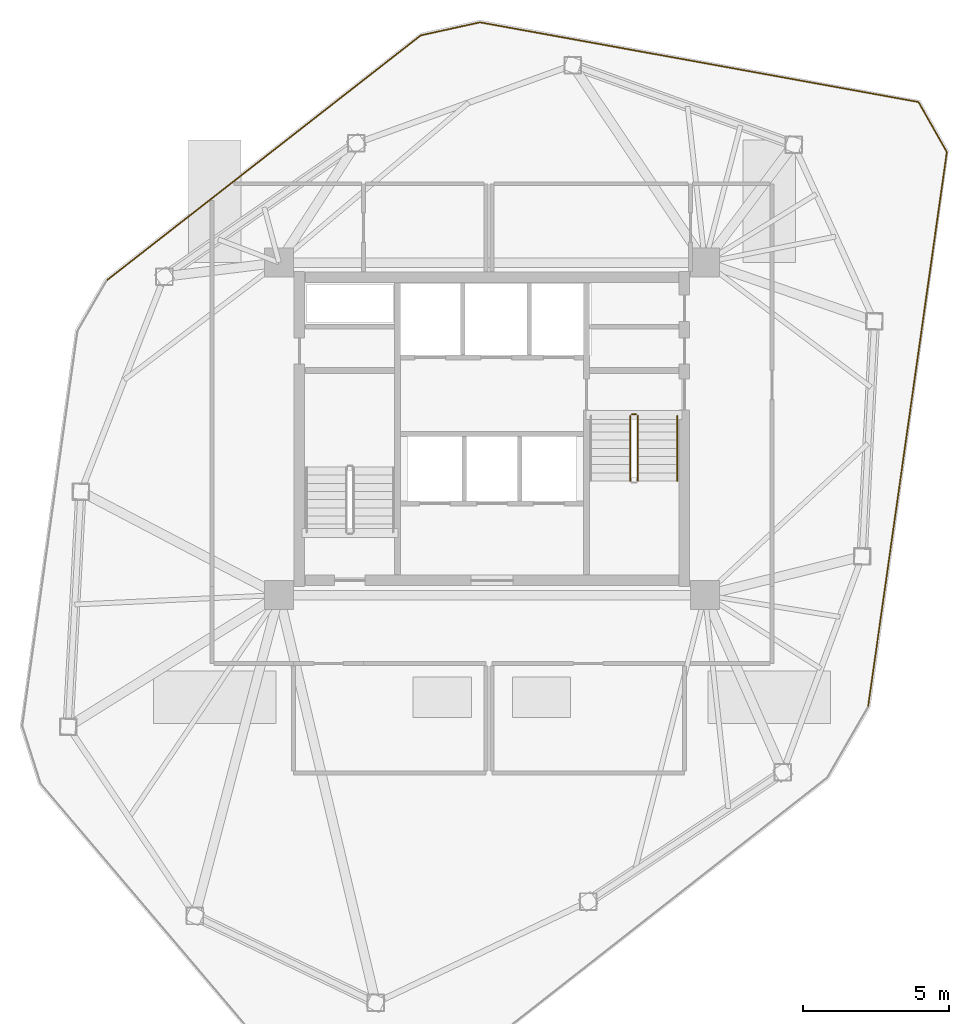
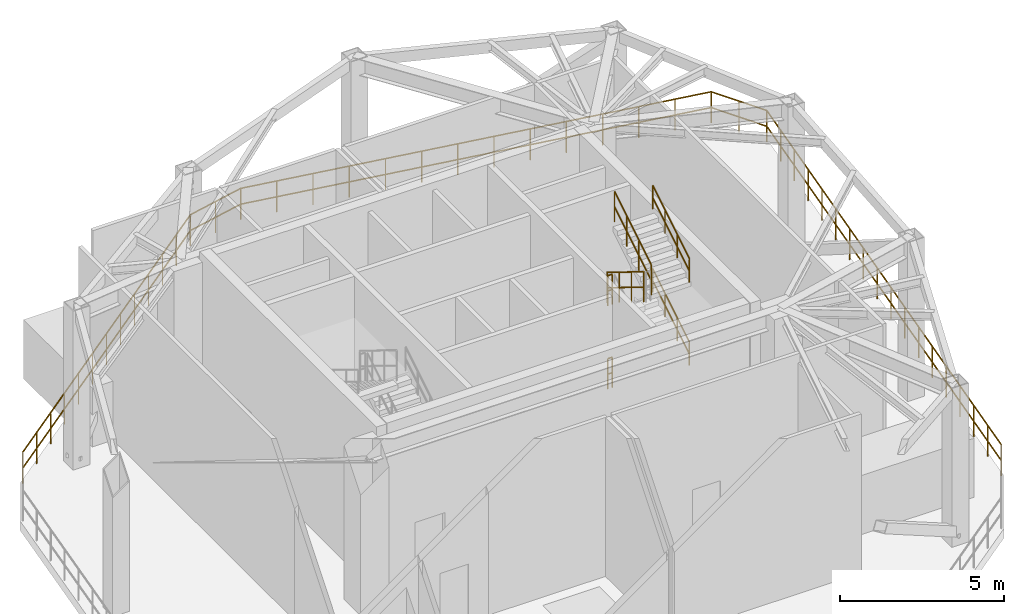
# One storey, part 6 of 7: 11 railings.
"""IFC4 building model written with IfcOpenShell, lengths in metres."""

import ifcopenshell
import ifcopenshell.guid

model = None  # the IFC model being written
_history = None  # IfcOwnerHistory: only IFC2X3 demands one
_inside = {}  # id of a spatial element -> (the spatial element, [elements in it])
_under = {}  # id of a project, library or spatial element -> (it, [spatial elements below it])
_declared = {}  # id of a project -> (the project, [libraries it declares])
_typed = {}  # id of a type object -> (the type object, [elements of that type])
_made_of = {}  # id of a material, layer set ... -> (it, [elements and type objects made of it])


def new_model(schema):
    """Start an empty IFC model of exactly this schema.

    Asked for "IFC4X3", IfcOpenShell would pick the latest addendum, in which some entities
    have other attributes; the version numbers below select the first issue.
    IFC2X3 requires an IfcOwnerHistory on every rooted entity: one is made here for all.
    """
    global model, _history
    if schema == "IFC4X3":
        model = ifcopenshell.file(schema_version=(4, 3, 0, 0))
    else:
        model = ifcopenshell.file(schema=schema)
    _inside.clear()
    _under.clear()
    _declared.clear()
    _typed.clear()
    _made_of.clear()
    _history = None
    if model.schema == "IFC2X3":
        org = make("IfcOrganization", Name="unknown")
        user = make(
            "IfcPersonAndOrganization",
            ThePerson=make("IfcPerson", FamilyName="unknown"),
            TheOrganization=org,
        )
        app = make(
            "IfcApplication",
            ApplicationDeveloper=org,
            Version="unknown",
            ApplicationFullName="unknown",
            ApplicationIdentifier="unknown",
        )
        _history = make(
            "IfcOwnerHistory",
            OwningUser=user,
            OwningApplication=app,
            ChangeAction="ADDED",
            CreationDate=0,
        )
    return model


def make(cls, **values):
    """One entity of the class cls with the attributes given. An attribute that is None is left unset."""
    return model.create_entity(
        cls, **{name: value for name, value in values.items() if value is not None}
    )


def rooted(cls, **values):
    """An entity with a GlobalId (a new one), such as an element, a storey or a relation."""
    return make(cls, GlobalId=ifcopenshell.guid.new(), OwnerHistory=_history, **values)


def si_unit(unit_type, name, prefix=None):
    """IfcSIUnit, for example si_unit("LENGTHUNIT", "METRE", prefix="MILLI")."""
    return make("IfcSIUnit", UnitType=unit_type, Prefix=prefix, Name=name)


def assignment(units):
    """IfcUnitAssignment: the units of a project."""
    return None if units is None else make("IfcUnitAssignment", Units=units)


def point(xyz):
    """IfcCartesianPoint."""
    return None if xyz is None else make("IfcCartesianPoint", Coordinates=xyz)


def direction(xyz):
    """IfcDirection."""
    return None if xyz is None else make("IfcDirection", DirectionRatios=xyz)


def frame(location, z_axis=None, x_axis=None):
    """IfcAxis2Placement3D, a coordinate frame: its origin and axes. An axis left out is left unset."""
    return make(
        "IfcAxis2Placement3D",
        Location=point(location),
        Axis=direction(z_axis),
        RefDirection=direction(x_axis),
    )


def frame_2d(location, x_axis=None):
    """IfcAxis2Placement2D, a coordinate frame in the plane: its origin and x axis."""
    return make(
        "IfcAxis2Placement2D", Location=point(location), RefDirection=direction(x_axis)
    )


def origin():
    """The frame at (0, 0, 0) with its axes left unset."""
    return frame((0.0, 0.0, 0.0))


def origin_2d():
    """The frame at (0, 0) in the plane with its x axis left unset."""
    return frame_2d((0.0, 0.0))


def place(relative_to, where):
    """IfcLocalPlacement: puts the frame where relative to a parent placement (None: the world)."""
    return make(
        "IfcLocalPlacement", PlacementRelTo=relative_to, RelativePlacement=where
    )


def context(
    kind, dimensions, precision=None, world=None, true_north=None, identifier=None
):
    """IfcGeometricRepresentationContext, for example the 3D "Model" context."""
    return make(
        "IfcGeometricRepresentationContext",
        ContextIdentifier=identifier,
        ContextType=kind,
        CoordinateSpaceDimension=dimensions,
        Precision=precision,
        WorldCoordinateSystem=world,
        TrueNorth=true_north,
    )


def subcontext(parent, identifier, kind, view, scale=None):
    """IfcGeometricRepresentationSubContext, for example "Body" below "Model"."""
    return make(
        "IfcGeometricRepresentationSubContext",
        ContextIdentifier=identifier,
        ContextType=kind,
        ParentContext=parent,
        TargetScale=scale,
        TargetView=view,
    )


def project(units=None, contexts=None):
    """IfcProject with its units and contexts."""
    return rooted(
        "IfcProject",
        Name="project",
        RepresentationContexts=contexts,
        UnitsInContext=assignment(units),
    )


def spatial(cls, under=None, at=None, **own):
    """A site, building, storey or space (cls), placed at a placement, below another one or the project."""
    s = rooted(cls, ObjectPlacement=at, **own)
    if under is not None:
        _under.setdefault(under.id(), (under, []))[1].append(s)
    return s


def profile(cls, at=None, kind="AREA", **sizes):
    """A parametric profile (cls). Its sizes go by their IFC names, for example OverallWidth=200.0."""
    return make(cls, ProfileType=kind, Position=at, **sizes)


def circle(**sizes):
    """IfcCircleProfileDef."""
    return profile("IfcCircleProfileDef", **sizes)


def extrude(swept, where, along, depth):
    """IfcExtrudedAreaSolid: the profile swept, set in the frame where, extruded along a direction by depth."""
    return make(
        "IfcExtrudedAreaSolid",
        SweptArea=swept,
        Position=where,
        ExtrudedDirection=direction(along),
        Depth=depth,
    )


def shape(context_of_items, identifier, shape_type, items):
    """IfcShapeRepresentation: the items that make up one representation, for example the "Body"."""
    return make(
        "IfcShapeRepresentation",
        ContextOfItems=context_of_items,
        RepresentationIdentifier=identifier,
        RepresentationType=shape_type,
        Items=items,
    )


def material(Name=None, Category=None):
    """IfcMaterial."""
    return make("IfcMaterial", Name=Name, Category=Category)


def made_of(thing, what):
    """Note that an element or type object is made of a material, layer set ...; save() writes the relation."""
    if what is not None:
        _made_of.setdefault(what.id(), (what, []))[1].append(thing)
    return thing


def type_object(cls, material=None, **own):
    """A type object (cls), such as IfcWallType, which elements share."""
    return made_of(rooted(cls, **own), material)


def element(
    cls,
    number,
    at=None,
    inside=None,
    cuts=None,
    type_object=None,
    material=None,
    context=None,
    identifier="Body",
    shape_type=None,
    held_by="IfcProductDefinitionShape",
    body=None,
    shapes=None,
    **own,
):
    """One element of the class cls, such as IfcWall. Its Tag is "e" and its number.

    at: its placement. inside: the storey or other place that contains it. cuts: it is an
    opening in that element (IfcRelVoidsElement). A single representation is given by context,
    identifier, shape_type and body (its items); several are given by shapes. held_by: the class
    of the entity that holds the representations. save() writes the other relations.
    """
    e = rooted(cls, Tag="e%d" % number, ObjectPlacement=at, **own)
    if body is not None:
        shapes = [shape(context, identifier, shape_type, body)]
    if shapes is not None:
        e.Representation = make(held_by, Representations=shapes)
    if inside is not None:
        _inside.setdefault(inside.id(), (inside, []))[1].append(e)
    if cuts is not None:
        rooted(
            "IfcRelVoidsElement", RelatingBuildingElement=cuts, RelatedOpeningElement=e
        )
    if type_object is not None:
        _typed.setdefault(type_object.id(), (type_object, []))[1].append(e)
    return made_of(e, material)


def aggregate(whole, parts):
    """IfcRelAggregates: a whole, such as a stair, and the parts it consists of."""
    return rooted("IfcRelAggregates", RelatingObject=whole, RelatedObjects=parts)


def save(model, path):
    """Write the relations noted so far, then the file.

    IfcRelAggregates (storeys below a building ...), IfcRelContainedInSpatialStructure (elements
    in a storey), IfcRelDefinesByType, IfcRelAssociatesMaterial and IfcRelDeclares: one each for
    every whole, place, type object, material and project.
    """
    for whole, parts in _under.values():
        aggregate(whole, parts)
    for where, things in _inside.values():
        rooted(
            "IfcRelContainedInSpatialStructure",
            RelatedElements=things,
            RelatingStructure=where,
        )
    for kind, things in _typed.values():
        rooted("IfcRelDefinesByType", RelatedObjects=things, RelatingType=kind)
    for what, things in _made_of.values():
        rooted("IfcRelAssociatesMaterial", RelatedObjects=things, RelatingMaterial=what)
    for by, libraries in _declared.values():
        rooted("IfcRelDeclares", RelatingContext=by, RelatedDefinitions=libraries)
    model.write(path)


model = new_model("IFC4")

# Units and contexts
model_context = context("Model", 3, precision=1e-05, world=origin(), true_north=direction((0.0, 1.0)))
body_context = subcontext(model_context, "Body", "Model", "MODEL_VIEW")
ifc_project = project(units=[si_unit("LENGTHUNIT", "METRE"), si_unit("AREAUNIT", "SQUARE_METRE"), si_unit("VOLUMEUNIT", "CUBIC_METRE"), si_unit("PLANEANGLEUNIT", "RADIAN"), si_unit("MASSUNIT", "GRAM", prefix="KILO")], contexts=[model_context])

# Site, building, storey
site_placement = place(None, origin())
site = spatial("IfcSite", under=ifc_project, at=site_placement, CompositionType="ELEMENT")
building_placement = place(site_placement, origin())
building = spatial("IfcBuilding", under=site, at=building_placement, Name="Talar Marvaseh", CompositionType="ELEMENT")
storey_placement = place(building_placement, frame((0.0, 0.0, 202.0)))
storey = spatial("IfcBuildingStorey", under=building, at=storey_placement, Name="L53", CompositionType="ELEMENT", Elevation=202.0)

# Railings
ifc_material = material(Name="Stainless Steel Grade 316", Category="steel")
railing_type_1 = type_object("IfcRailingType", Name="Brushed Stainless Wall Pitch Handrail 900", PredefinedType="HANDRAIL", material=ifc_material)
railing_1_placement = place(storey_placement, frame((32.35009765625, 29.409912109375, 1.72216796875)))
element("IfcRailing", 1, at=railing_1_placement, inside=storey, type_object=railing_type_1, Name="L53 ST-2 stair handrail 2", PredefinedType="HANDRAIL", context=body_context, shape_type="SweptSolid", body=[
    extrude(circle(Radius=0.02392578125, at=origin_2d()), frame((0.0, 0.0, 0.8759765625), z_axis=(0.0, 0.851747552033, 0.523952390591), x_axis=(-1.0, 0.0, 0.0)), (0.0, 0.0, 1.0), 2.6298828125),
    extrude(circle(Radius=0.02392578125, at=origin_2d()), frame((0.0, 0.0, 0.42578125), z_axis=(0.0, 0.851747552033, 0.523952390591), x_axis=(-1.0, 0.0, 0.0)), (0.0, 0.0, 1.0), 2.6298828125),
    extrude(circle(Radius=0.02099609375, at=origin_2d()), origin(), (0.0, 0.0, 1.0), 0.851806640625),
    extrude(circle(Radius=0.02099609375, at=origin_2d()), frame((0.0, 0.74658203125, 0.459228515625)), (0.0, 0.0, 1.0), 0.851806640625),
    extrude(circle(Radius=0.02099609375, at=origin_2d()), frame((0.0, 1.493408203125, 0.918701171875)), (0.0, 0.0, 1.0), 0.851806640625),
    extrude(circle(Radius=0.02099609375, at=origin_2d()), frame((0.0, 2.239990234375, 1.3779296875)), (0.0, 0.0, 1.0), 0.851806640625),
])
railing_2_placement = place(storey_placement, frame((32.35009765625, 29.409912109375, 4.822265625)))
element("IfcRailing", 2, at=railing_2_placement, inside=storey, type_object=railing_type_1, Name="L53 ST-2 stair handrail 4", PredefinedType="HANDRAIL", context=body_context, shape_type="SweptSolid", body=[
    extrude(circle(Radius=0.02392578125, at=origin_2d()), frame((0.0, 0.0, 0.8759765625), z_axis=(0.0, 0.85178898068, 0.523885037382), x_axis=(-1.0, 0.0, 0.0)), (0.0, 0.0, 1.0), 2.629638671875),
    extrude(circle(Radius=0.02392578125, at=origin_2d()), frame((0.0, 0.0, 0.42578125), z_axis=(0.0, 0.85178898068, 0.523885037382), x_axis=(-1.0, 0.0, 0.0)), (0.0, 0.0, 1.0), 2.629638671875),
    extrude(circle(Radius=0.02099609375, at=origin_2d()), origin(), (0.0, 0.0, 1.0), 0.851806640625),
    extrude(circle(Radius=0.02099609375, at=origin_2d()), frame((0.0, 0.74658203125, 0.459228515625)), (0.0, 0.0, 1.0), 0.851806640625),
    extrude(circle(Radius=0.02099609375, at=origin_2d()), frame((0.0, 1.493408203125, 0.91845703125)), (0.0, 0.0, 1.0), 0.851806640625),
    extrude(circle(Radius=0.02099609375, at=origin_2d()), frame((0.0, 2.239990234375, 1.377685546875)), (0.0, 0.0, 1.0), 0.851806640625),
])
railing_type_2 = type_object("IfcRailingType", Name="Painted Steel Core Stair Well Guardrail 1150", PredefinedType="GUARDRAIL", material=ifc_material)
railing_3_placement = place(storey_placement, frame((30.7900390625, 31.699951171875, 3.10009765625)))
element("IfcRailing", 3, at=railing_3_placement, inside=storey, type_object=railing_type_2, Name="L53 ST-2 stair guard 4", PredefinedType="GUARDRAIL", context=body_context, shape_type="SweptSolid", body=[
    extrude(circle(Radius=0.02392578125, at=origin_2d()), frame((0.0, 0.0, 1.1259765625), z_axis=(1.0, 0.0, 0.0), x_axis=(0.0, 1.0, 0.0)), (0.0, 0.0, 1.0), 0.159912109375),
    extrude(circle(Radius=0.02392578125, at=origin_2d()), frame((0.0, 0.0, 0.55078125), z_axis=(1.0, 0.0, 0.0), x_axis=(0.0, 1.0, 0.0)), (0.0, 0.0, 1.0), 0.159912109375),
    extrude(circle(Radius=0.02099609375, at=origin_2d()), origin(), (0.0, 0.0, 1.0), 1.101806640625),
    extrude(circle(Radius=0.02099609375, at=origin_2d()), frame((0.159912109375, 0.0, 0.0)), (0.0, 0.0, 1.0), 1.101806640625),
])
railing_4_placement = place(storey_placement, frame((30.739990234375, 31.64990234375, 3.272216796875)))
element("IfcRailing", 4, at=railing_4_placement, inside=storey, type_object=railing_type_2, Name="L53 ST-2 stair guard 5", PredefinedType="GUARDRAIL", context=body_context, shape_type="SweptSolid", body=[
    extrude(circle(Radius=0.02392578125, at=origin_2d()), frame((0.0, 0.0, 1.1259765625), z_axis=(0.0, -0.85178898068, 0.523885037382), x_axis=(1.0, 0.0, 0.0)), (0.0, 0.0, 1.0), 2.629638671875),
    extrude(circle(Radius=0.02392578125, at=origin_2d()), frame((0.0, 0.0, 0.55078125), z_axis=(0.0, -0.85178898068, 0.523885037382), x_axis=(1.0, 0.0, 0.0)), (0.0, 0.0, 1.0), 2.629638671875),
    extrude(circle(Radius=0.02099609375, at=origin_2d()), origin(), (0.0, 0.0, 1.0), 1.101806640625),
    extrude(circle(Radius=0.02099609375, at=origin_2d()), frame((0.0, -0.74658203125, 0.459228515625)), (0.0, 0.0, 1.0), 1.101806640625),
    extrude(circle(Radius=0.02099609375, at=origin_2d()), frame((0.0, -1.493408203125, 0.91845703125)), (0.0, 0.0, 1.0), 1.101806640625),
    extrude(circle(Radius=0.02099609375, at=origin_2d()), frame((0.0, -2.239990234375, 1.377685546875)), (0.0, 0.0, 1.0), 1.101806640625),
])
railing_5_placement = place(storey_placement, frame((31.0, 29.409912109375, 4.822265625)))
element("IfcRailing", 5, at=railing_5_placement, inside=storey, type_object=railing_type_2, Name="L53 ST-2 stair guard 7", PredefinedType="GUARDRAIL", context=body_context, shape_type="SweptSolid", body=[
    extrude(circle(Radius=0.02392578125, at=origin_2d()), frame((0.0, 0.0, 1.1259765625), z_axis=(0.0, 0.85178898068, 0.523885037382), x_axis=(-1.0, 0.0, 0.0)), (0.0, 0.0, 1.0), 2.629638671875),
    extrude(circle(Radius=0.02392578125, at=origin_2d()), frame((0.0, 0.0, 0.55078125), z_axis=(0.0, 0.85178898068, 0.523885037382), x_axis=(-1.0, 0.0, 0.0)), (0.0, 0.0, 1.0), 2.629638671875),
    extrude(circle(Radius=0.02099609375, at=origin_2d()), origin(), (0.0, 0.0, 1.0), 1.101806640625),
    extrude(circle(Radius=0.02099609375, at=origin_2d()), frame((0.0, 0.74658203125, 0.459228515625)), (0.0, 0.0, 1.0), 1.101806640625),
    extrude(circle(Radius=0.02099609375, at=origin_2d()), frame((0.0, 1.493408203125, 0.91845703125)), (0.0, 0.0, 1.0), 1.101806640625),
    extrude(circle(Radius=0.02099609375, at=origin_2d()), frame((0.0, 2.239990234375, 1.377685546875)), (0.0, 0.0, 1.0), 1.101806640625),
])
railing_6_placement = place(storey_placement, frame((30.7900390625, 31.699951171875, 0.0)))
element("IfcRailing", 6, at=railing_6_placement, inside=storey, type_object=railing_type_2, Name="L53 ST-2 stair guard 8", PredefinedType="GUARDRAIL", context=body_context, shape_type="SweptSolid", body=[
    extrude(circle(Radius=0.02392578125, at=origin_2d()), frame((0.0, 0.0, 1.1259765625), z_axis=(1.0, 0.0, 0.0), x_axis=(0.0, 1.0, 0.0)), (0.0, 0.0, 1.0), 0.159912109375),
    extrude(circle(Radius=0.02392578125, at=origin_2d()), frame((0.0, 0.0, 0.55078125), z_axis=(1.0, 0.0, 0.0), x_axis=(0.0, 1.0, 0.0)), (0.0, 0.0, 1.0), 0.159912109375),
    extrude(circle(Radius=0.02099609375, at=origin_2d()), origin(), (0.0, 0.0, 1.0), 1.101806640625),
    extrude(circle(Radius=0.02099609375, at=origin_2d()), frame((0.159912109375, 0.0, 0.0)), (0.0, 0.0, 1.0), 1.101806640625),
])
railing_type_3 = type_object("IfcRailingType", Name="Wind Portal Perimeter Safety Guardrail 1180", PredefinedType="GUARDRAIL", material=ifc_material)
railing_7_placement = place(storey_placement, frame((12.784423828125, 36.280517578125, 0.0)))
element("IfcRailing", 7, at=railing_7_placement, inside=storey, type_object=railing_type_3, Name="L53 Wind Portal Perimeter Guardrail 6", PredefinedType="GUARDRAIL", context=body_context, shape_type="SweptSolid", body=[
    extrude(circle(Radius=0.02392578125, at=origin_2d()), frame((0.0, 0.0, 1.15576171875), z_axis=(0.788442353042, 0.615108653759, 0.0), x_axis=(-0.615108653759, 0.788442353042, 0.0)), (0.0, 0.0, 1.0), 13.666748046875),
    extrude(circle(Radius=0.02392578125, at=origin_2d()), frame((0.0, 0.0, 0.56591796875), z_axis=(0.788442353042, 0.615108653759, 0.0), x_axis=(-0.615108653759, 0.788442353042, 0.0)), (0.0, 0.0, 1.0), 13.666748046875),
    extrude(circle(Radius=0.02099609375, at=origin_2d()), origin(), (0.0, 0.0, 1.0), 1.1318359375),
    extrude(circle(Radius=0.02099609375, at=origin_2d()), frame((0.89794921875, 0.700439453125, 0.0)), (0.0, 0.0, 1.0), 1.1318359375),
    extrude(circle(Radius=0.02099609375, at=origin_2d()), frame((1.7958984375, 1.401123046875, 0.0)), (0.0, 0.0, 1.0), 1.1318359375),
    extrude(circle(Radius=0.02099609375, at=origin_2d()), frame((2.69384765625, 2.1015625, 0.0)), (0.0, 0.0, 1.0), 1.1318359375),
    extrude(circle(Radius=0.02099609375, at=origin_2d()), frame((3.591796875, 2.80224609375, 0.0)), (0.0, 0.0, 1.0), 1.1318359375),
    extrude(circle(Radius=0.02099609375, at=origin_2d()), frame((4.48974609375, 3.502685546875, 0.0)), (0.0, 0.0, 1.0), 1.1318359375),
    extrude(circle(Radius=0.02099609375, at=origin_2d()), frame((5.3876953125, 4.203125, 0.0)), (0.0, 0.0, 1.0), 1.1318359375),
    extrude(circle(Radius=0.02099609375, at=origin_2d()), frame((6.28564453125, 4.90380859375, 0.0)), (0.0, 0.0, 1.0), 1.1318359375),
    extrude(circle(Radius=0.02099609375, at=origin_2d()), frame((7.18359375, 5.604248046875, 0.0)), (0.0, 0.0, 1.0), 1.1318359375),
    extrude(circle(Radius=0.02099609375, at=origin_2d()), frame((8.08154296875, 6.304931640625, 0.0)), (0.0, 0.0, 1.0), 1.1318359375),
    extrude(circle(Radius=0.02099609375, at=origin_2d()), frame((8.9794921875, 7.00537109375, 0.0)), (0.0, 0.0, 1.0), 1.1318359375),
    extrude(circle(Radius=0.02099609375, at=origin_2d()), frame((9.87744140625, 7.7060546875, 0.0)), (0.0, 0.0, 1.0), 1.1318359375),
    extrude(circle(Radius=0.02099609375, at=origin_2d()), frame((10.775390625, 8.406494140625, 0.0)), (0.0, 0.0, 1.0), 1.1318359375),
])
railing_8_placement = place(storey_placement, frame((23.559814453125, 44.68701171875, 0.0)))
element("IfcRailing", 8, at=railing_8_placement, inside=storey, type_object=railing_type_3, Name="L53 Wind Portal Perimeter Guardrail 7", PredefinedType="GUARDRAIL", context=body_context, shape_type="SweptSolid", body=[
    extrude(circle(Radius=0.02392578125, at=origin_2d()), frame((0.0, 0.0, 1.15576171875), z_axis=(0.976643481158, 0.214866262385, 0.0), x_axis=(-0.214866262385, 0.976643481158, 0.0)), (0.0, 0.0, 1.0), 2.079345703125),
    extrude(circle(Radius=0.02392578125, at=origin_2d()), frame((0.0, 0.0, 0.56591796875), z_axis=(0.976643481158, 0.214866262385, 0.0), x_axis=(-0.214866262385, 0.976643481158, 0.0)), (0.0, 0.0, 1.0), 2.079345703125),
    extrude(circle(Radius=0.02099609375, at=origin_2d()), origin(), (0.0, 0.0, 1.0), 1.1318359375),
    extrude(circle(Radius=0.02099609375, at=origin_2d()), frame((1.015380859375, 0.223388671875, 0.0)), (0.0, 0.0, 1.0), 1.1318359375),
    extrude(circle(Radius=0.02099609375, at=origin_2d()), frame((2.03076171875, 0.44677734375, 0.0)), (0.0, 0.0, 1.0), 1.1318359375),
])
railing_9_placement = place(storey_placement, frame((25.590576171875, 45.1337890625, 0.0)))
element("IfcRailing", 9, at=railing_9_placement, inside=storey, type_object=railing_type_3, Name="L53 Wind Portal Perimeter Guardrail 8", PredefinedType="GUARDRAIL", context=body_context, shape_type="SweptSolid", body=[
    extrude(circle(Radius=0.02392578125, at=origin_2d()), frame((0.0, 0.0, 1.15576171875), z_axis=(0.983882691511, -0.178815126165, 0.0), x_axis=(0.178815126165, 0.983882691511, 0.0)), (0.0, 0.0, 1.0), 15.278076171875),
    extrude(circle(Radius=0.02392578125, at=origin_2d()), frame((0.0, 0.0, 0.56591796875), z_axis=(0.983882691511, -0.178815126165, 0.0), x_axis=(0.178815126165, 0.983882691511, 0.0)), (0.0, 0.0, 1.0), 15.278076171875),
    extrude(circle(Radius=0.02099609375, at=origin_2d()), origin(), (0.0, 0.0, 1.0), 1.1318359375),
    extrude(circle(Radius=0.02099609375, at=origin_2d()), frame((1.15625, -0.210205078125, 0.0)), (0.0, 0.0, 1.0), 1.1318359375),
    extrude(circle(Radius=0.02099609375, at=origin_2d()), frame((2.3125, -0.42041015625, 0.0)), (0.0, 0.0, 1.0), 1.1318359375),
    extrude(circle(Radius=0.02099609375, at=origin_2d()), frame((3.46875, -0.63037109375, 0.0)), (0.0, 0.0, 1.0), 1.1318359375),
    extrude(circle(Radius=0.02099609375, at=origin_2d()), frame((4.625244140625, -0.840576171875, 0.0)), (0.0, 0.0, 1.0), 1.1318359375),
    extrude(circle(Radius=0.02099609375, at=origin_2d()), frame((5.781494140625, -1.05078125, 0.0)), (0.0, 0.0, 1.0), 1.1318359375),
    extrude(circle(Radius=0.02099609375, at=origin_2d()), frame((6.937744140625, -1.260986328125, 0.0)), (0.0, 0.0, 1.0), 1.1318359375),
    extrude(circle(Radius=0.02099609375, at=origin_2d()), frame((8.093994140625, -1.470947265625, 0.0)), (0.0, 0.0, 1.0), 1.1318359375),
    extrude(circle(Radius=0.02099609375, at=origin_2d()), frame((9.250244140625, -1.68115234375, 0.0)), (0.0, 0.0, 1.0), 1.1318359375),
    extrude(circle(Radius=0.02099609375, at=origin_2d()), frame((10.406494140625, -1.891357421875, 0.0)), (0.0, 0.0, 1.0), 1.1318359375),
    extrude(circle(Radius=0.02099609375, at=origin_2d()), frame((11.56298828125, -2.1015625, 0.0)), (0.0, 0.0, 1.0), 1.1318359375),
    extrude(circle(Radius=0.02099609375, at=origin_2d()), frame((12.71923828125, -2.3115234375, 0.0)), (0.0, 0.0, 1.0), 1.1318359375),
    extrude(circle(Radius=0.02099609375, at=origin_2d()), frame((13.87548828125, -2.521728515625, 0.0)), (0.0, 0.0, 1.0), 1.1318359375),
    extrude(circle(Radius=0.02099609375, at=origin_2d()), frame((15.03173828125, -2.73193359375, 0.0)), (0.0, 0.0, 1.0), 1.1318359375),
])
railing_10_placement = place(storey_placement, frame((40.622314453125, 42.40185546875, 0.0)))
element("IfcRailing", 10, at=railing_10_placement, inside=storey, type_object=railing_type_3, Name="L53 Wind Portal Perimeter Guardrail 9", PredefinedType="GUARDRAIL", context=body_context, shape_type="SweptSolid", body=[
    extrude(circle(Radius=0.02392578125, at=origin_2d()), frame((0.0, 0.0, 1.15576171875), z_axis=(0.492759327788, -0.870165642207, 0.0), x_axis=(0.870165642207, 0.492759327788, 0.0)), (0.0, 0.0, 1.0), 1.970458984375),
    extrude(circle(Radius=0.02392578125, at=origin_2d()), frame((0.0, 0.0, 0.56591796875), z_axis=(0.492759327788, -0.870165642207, 0.0), x_axis=(0.870165642207, 0.492759327788, 0.0)), (0.0, 0.0, 1.0), 1.970458984375),
    extrude(circle(Radius=0.02099609375, at=origin_2d()), origin(), (0.0, 0.0, 1.0), 1.1318359375),
    extrude(circle(Radius=0.02099609375, at=origin_2d()), frame((0.4853515625, -0.857421875, 0.0)), (0.0, 0.0, 1.0), 1.1318359375),
    extrude(circle(Radius=0.02099609375, at=origin_2d()), frame((0.970947265625, -1.714599609375, 0.0)), (0.0, 0.0, 1.0), 1.1318359375),
])
railing_11_placement = place(storey_placement, frame((41.59326171875, 40.687255859375, 0.0)))
element("IfcRailing", 11, at=railing_11_placement, inside=storey, type_object=railing_type_3, Name="L53 Wind Portal Perimeter Guardrail 10", PredefinedType="GUARDRAIL", context=body_context, shape_type="SweptSolid", body=[
    extrude(circle(Radius=0.02392578125, at=origin_2d()), frame((0.0, 0.0, 1.15576171875), z_axis=(-0.140527919888, -0.990076716084, 0.0), x_axis=(0.990076716084, -0.140527919888, 0.0)), (0.0, 0.0, 1.0), 19.2060546875),
    extrude(circle(Radius=0.02392578125, at=origin_2d()), frame((0.0, 0.0, 0.56591796875), z_axis=(-0.140527919888, -0.990076716084, 0.0), x_axis=(0.990076716084, -0.140527919888, 0.0)), (0.0, 0.0, 1.0), 19.2060546875),
    extrude(circle(Radius=0.02099609375, at=origin_2d()), origin(), (0.0, 0.0, 1.0), 1.1318359375),
    extrude(circle(Radius=0.02099609375, at=origin_2d()), frame((-0.15869140625, -1.11865234375, 0.0)), (0.0, 0.0, 1.0), 1.1318359375),
    extrude(circle(Radius=0.02099609375, at=origin_2d()), frame((-0.317626953125, -2.237060546875, 0.0)), (0.0, 0.0, 1.0), 1.1318359375),
    extrude(circle(Radius=0.02099609375, at=origin_2d()), frame((-0.476318359375, -3.355712890625, 0.0)), (0.0, 0.0, 1.0), 1.1318359375),
    extrude(circle(Radius=0.02099609375, at=origin_2d()), frame((-0.635009765625, -4.47412109375, 0.0)), (0.0, 0.0, 1.0), 1.1318359375),
    extrude(circle(Radius=0.02099609375, at=origin_2d()), frame((-0.793701171875, -5.5927734375, 0.0)), (0.0, 0.0, 1.0), 1.1318359375),
    extrude(circle(Radius=0.02099609375, at=origin_2d()), frame((-0.95263671875, -6.71142578125, 0.0)), (0.0, 0.0, 1.0), 1.1318359375),
    extrude(circle(Radius=0.02099609375, at=origin_2d()), frame((-1.111328125, -7.829833984375, 0.0)), (0.0, 0.0, 1.0), 1.1318359375),
    extrude(circle(Radius=0.02099609375, at=origin_2d()), frame((-1.27001953125, -8.948486328125, 0.0)), (0.0, 0.0, 1.0), 1.1318359375),
    extrude(circle(Radius=0.02099609375, at=origin_2d()), frame((-1.428955078125, -10.06689453125, 0.0)), (0.0, 0.0, 1.0), 1.1318359375),
    extrude(circle(Radius=0.02099609375, at=origin_2d()), frame((-1.587646484375, -11.185546875, 0.0)), (0.0, 0.0, 1.0), 1.1318359375),
    extrude(circle(Radius=0.02099609375, at=origin_2d()), frame((-1.746337890625, -12.303955078125, 0.0)), (0.0, 0.0, 1.0), 1.1318359375),
    extrude(circle(Radius=0.02099609375, at=origin_2d()), frame((-1.9052734375, -13.422607421875, 0.0)), (0.0, 0.0, 1.0), 1.1318359375),
    extrude(circle(Radius=0.02099609375, at=origin_2d()), frame((-2.06396484375, -14.541259765625, 0.0)), (0.0, 0.0, 1.0), 1.1318359375),
    extrude(circle(Radius=0.02099609375, at=origin_2d()), frame((-2.22265625, -15.65966796875, 0.0)), (0.0, 0.0, 1.0), 1.1318359375),
    extrude(circle(Radius=0.02099609375, at=origin_2d()), frame((-2.38134765625, -16.7783203125, 0.0)), (0.0, 0.0, 1.0), 1.1318359375),
    extrude(circle(Radius=0.02099609375, at=origin_2d()), frame((-2.540283203125, -17.896728515625, 0.0)), (0.0, 0.0, 1.0), 1.1318359375),
    extrude(circle(Radius=0.02099609375, at=origin_2d()), frame((-2.698974609375, -19.015380859375, 0.0)), (0.0, 0.0, 1.0), 1.1318359375),
])

save(model, "model.ifc")
